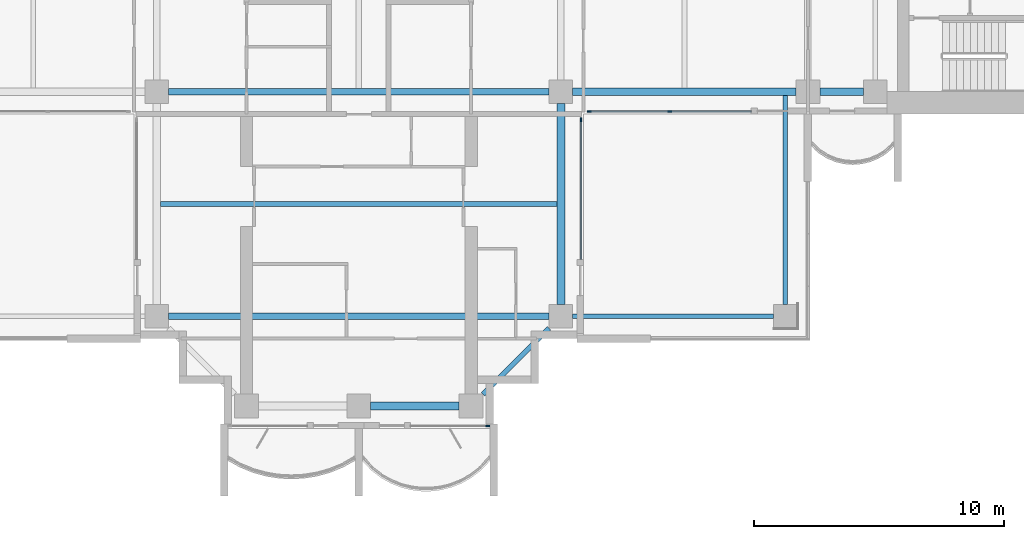
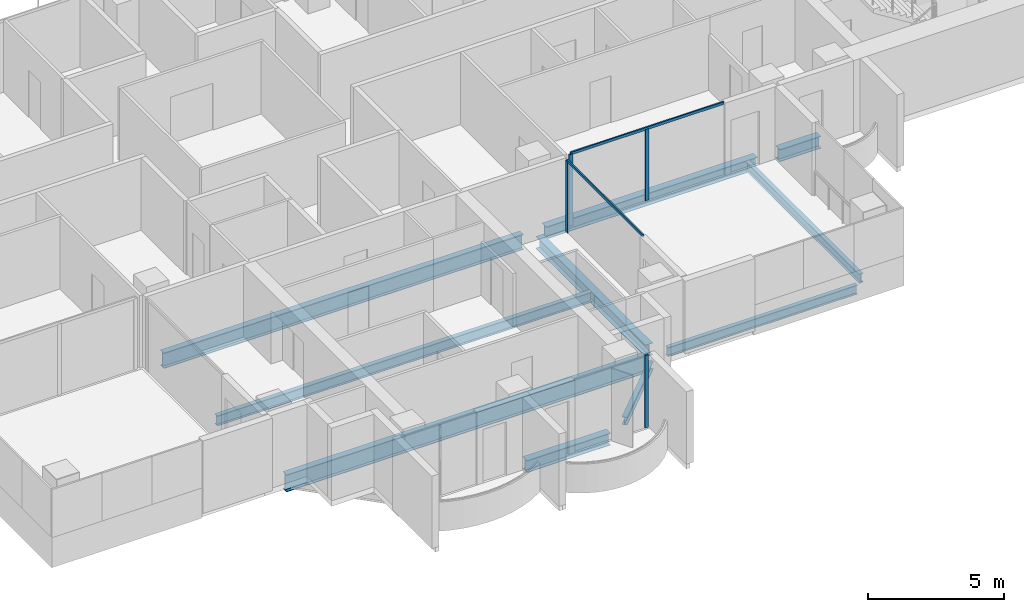
# One storey, part 3 of 17: 10 beams, 6 members, 3 elements without a shape of their own.
"""IFC4 building model written with IfcOpenShell, lengths in metres."""

from ifc_helpers import new_model, si_unit, direction, frame, origin, origin_2d, place, context, subcontext, project, spatial, rectangle, i_section, extrude, material, material_profile, profile_set, type_object, element, aggregate, save


model = new_model("IFC4")

# Units and contexts
model_context = context("Model", 3, precision=1e-05, world=origin(), true_north=direction((0.0, 1.0)))
body_context = subcontext(model_context, "Body", "Model", "MODEL_VIEW")
ifc_project = project(units=[si_unit("LENGTHUNIT", "METRE"), si_unit("AREAUNIT", "SQUARE_METRE"), si_unit("VOLUMEUNIT", "CUBIC_METRE"), si_unit("PLANEANGLEUNIT", "RADIAN"), si_unit("MASSUNIT", "GRAM", prefix="KILO")], contexts=[model_context])

# Site, building, storey
site_placement = place(None, origin())
site = spatial("IfcSite", under=ifc_project, at=site_placement, CompositionType="ELEMENT")
building_placement = place(site_placement, origin())
building = spatial("IfcBuilding", under=site, at=building_placement, Name="Perihelion Cross Residences", CompositionType="ELEMENT")
storey_placement = place(building_placement, frame((0.0, 0.0, 201.60009765625)))
storey = spatial("IfcBuildingStorey", under=building, at=storey_placement, Name="L50", CompositionType="ELEMENT", Elevation=201.60009765625)

# Curtain wall, member
ifc_material_1 = material(Name="Bronze anodised aluminium, tinted glazing", Category="aluminium")
curtain_wall_type = type_object("IfcCurtainWallType", Name="CW1", PredefinedType="NOTDEFINED", material=ifc_material_1)
curtain_wall_1_placement = place(storey_placement, origin())
curtain_wall_1 = element("IfcCurtainWall", 1, at=curtain_wall_1_placement, inside=storey, type_object=curtain_wall_type, Name="Curtain wall CW1 L50 south tip south bay 2", PredefinedType="NOTDEFINED")
ifc_material_2 = material(Name="Bronze anodised aluminium", Category="aluminium")
ifc_material_profile_1 = material_profile(ifc_material_2, rectangle(XDim=0.06005859375, YDim=0.159912109375, at=origin_2d()), Name="CW1 mullion")
ifc_profile_set_1 = profile_set([ifc_material_profile_1], Name="Bronze anodised aluminium")
member_type_1 = type_object("IfcMemberType", Name="CW1 mullion", PredefinedType="MULLION", material=ifc_profile_set_1)
member_1_placement = place(storey_placement, frame((5.169921875, -21.5, 0.0), z_axis=(0.0, 0.0, 1.0), x_axis=(0.0, 1.0, 0.0)))
member_1 = element("IfcMember", 2, at=member_1_placement, type_object=member_type_1, Name="CW1 mullion 2", PredefinedType="MULLION", context=body_context, shape_type="SweptSolid", body=[
    extrude(rectangle(XDim=0.06005859375, YDim=0.159912109375, at=origin_2d()), origin(), (0.0, 0.0, 1.0), 3.25),
])
aggregate(curtain_wall_1, [member_1])

curtain_wall_2_placement = place(storey_placement, origin())
curtain_wall_2 = element("IfcCurtainWall", 3, at=curtain_wall_2_placement, inside=storey, type_object=curtain_wall_type, Name="Curtain wall CW1 L50 south side east bay 1", PredefinedType="NOTDEFINED")
member_2_placement = place(storey_placement, frame((8.89990234375, -9.22998046875, 0.0), z_axis=(0.0, 0.0, 1.0), x_axis=(-1.0, 0.0, 0.0)))
member_2 = element("IfcMember", 4, at=member_2_placement, type_object=member_type_1, Name="CW1 mullion 2", PredefinedType="MULLION", context=body_context, shape_type="SweptSolid", body=[
    extrude(rectangle(XDim=0.06005859375, YDim=0.159912109375, at=origin_2d()), origin(), (0.0, 0.0, 1.0), 3.18994140625),
])

# Curtain wall, members
curtain_wall_3_placement = place(storey_placement, origin())
curtain_wall_3 = element("IfcCurtainWall", 5, at=curtain_wall_3_placement, inside=storey, type_object=curtain_wall_type, Name="Curtain wall CW1 L50 east side south bay 1", PredefinedType="NOTDEFINED")
member_3_placement = place(storey_placement, frame((9.22998046875, -8.89990234375, 0.0), z_axis=(0.0, 0.0, 1.0), x_axis=(0.0, 1.0, 0.0)))
member_3 = element("IfcMember", 6, at=member_3_placement, type_object=member_type_1, Name="CW1 mullion 1", PredefinedType="MULLION", context=body_context, shape_type="SweptSolid", body=[
    extrude(rectangle(XDim=0.06005859375, YDim=0.159912109375, at=origin_2d()), origin(), (0.0, 0.0, 1.0), 3.18994140625),
])
member_4_placement = place(storey_placement, frame((12.46240234375, -8.89990234375, 0.0), z_axis=(0.0, 0.0, 1.0), x_axis=(0.0, 1.0, 0.0)))
member_4 = element("IfcMember", 7, at=member_4_placement, type_object=member_type_1, Name="CW1 mullion 2", PredefinedType="MULLION", context=body_context, shape_type="SweptSolid", body=[
    extrude(rectangle(XDim=0.06005859375, YDim=0.159912109375, at=origin_2d()), origin(), (0.0, 0.0, 1.0), 3.18994140625),
])

# Member
ifc_material_3 = material(Name="Bronze anodised aluminium", Category="aluminium")
ifc_material_profile_2 = material_profile(ifc_material_3, rectangle(XDim=0.06005859375, YDim=0.1201171875, at=origin_2d()), Name="CW1 transom")
ifc_profile_set_2 = profile_set([ifc_material_profile_2], Name="Bronze anodised aluminium")
member_type_2 = type_object("IfcMemberType", Name="CW1 transom", PredefinedType="USERDEFINED", material=ifc_profile_set_2)
member_5_placement = place(storey_placement, frame((8.89990234375, -14.824951171875, 3.219970703125), z_axis=(0.0, 1.0, 0.0), x_axis=(-1.0, 0.0, 0.0)))
member_5 = element("IfcMember", 8, at=member_5_placement, type_object=member_type_2, Name="CW1 head transom", ObjectType="TRANSOM", PredefinedType="USERDEFINED", context=body_context, shape_type="SweptSolid", body=[
    extrude(rectangle(XDim=0.06005859375, YDim=0.1201171875, at=origin_2d()), origin(), (0.0, 0.0, 1.0), 5.594970703125),
])

aggregate(curtain_wall_2, [member_2, member_5])

member_6_placement = place(storey_placement, frame((9.22998046875, -8.89990234375, 3.219970703125), z_axis=(1.0, 0.0, 0.0), x_axis=(0.0, 1.0, 0.0)))
member_6 = element("IfcMember", 9, at=member_6_placement, type_object=member_type_2, Name="CW1 head transom", ObjectType="TRANSOM", PredefinedType="USERDEFINED", context=body_context, shape_type="SweptSolid", body=[
    extrude(rectangle(XDim=0.06005859375, YDim=0.1201171875, at=origin_2d()), origin(), (0.0, 0.0, 1.0), 6.4951171875),
])

aggregate(curtain_wall_3, [member_3, member_4, member_6])

# Beams
ifc_material_4 = material(Name="Steel S355", Category="steel")
ifc_material_profile_3 = material_profile(ifc_material_4, i_section(OverallWidth=0.177978515625, OverallDepth=0.406005859375, WebThickness=0.0078125, FlangeThickness=0.0126953125, at=origin_2d()), Name="W410x60")
ifc_profile_set_3 = profile_set([ifc_material_profile_3], Name="Steel S355")
beam_type_1 = type_object("IfcBeamType", Name="Core edge beam W410x60", PredefinedType="BEAM", material=ifc_profile_set_3)
beam_1_placement = place(storey_placement, frame((17.10009765625, -8.256103515625, -0.453125), z_axis=(0.0, -1.0, 0.0), x_axis=(1.0, 0.0, 0.0)))
element("IfcBeam", 10, at=beam_1_placement, inside=storey, type_object=beam_type_1, Name="Core edge beam TB2 L50 corner no. 3", PredefinedType="BEAM", context=body_context, shape_type="SweptSolid", body=[
    extrude(i_section(OverallWidth=0.177978515625, OverallDepth=0.406005859375, WebThickness=0.0078125, FlangeThickness=0.0126953125, at=origin_2d()), origin(), (0.0, 0.0, 1.0), 8.368896484375),
])
beam_2_placement = place(storey_placement, frame((8.574951171875, -17.10009765625, -0.453125), z_axis=(1.0, 0.0, 0.0), x_axis=(0.0, 1.0, 0.0)))
element("IfcBeam", 11, at=beam_2_placement, inside=storey, type_object=beam_type_1, Name="Core edge beam TB2 L50 corner no. 4", PredefinedType="BEAM", context=body_context, shape_type="SweptSolid", body=[
    extrude(i_section(OverallWidth=0.177978515625, OverallDepth=0.406005859375, WebThickness=0.0078125, FlangeThickness=0.0126953125, at=origin_2d()), origin(), (0.0, 0.0, 1.0), 8.050048828125),
])
ifc_material_5 = material(Name="Steel S355", Category="steel")
ifc_material_profile_4 = material_profile(ifc_material_5, i_section(OverallWidth=0.31201171875, OverallDepth=0.5439453125, WebThickness=0.0126953125, FlangeThickness=0.020263671875, at=origin_2d()), Name="W530x150")
ifc_profile_set_4 = profile_set([ifc_material_profile_4], Name="Steel S355")
beam_type_2 = type_object("IfcBeamType", Name="Edge beam W530x150", PredefinedType="SPANDREL", material=ifc_profile_set_4)
beam_3_placement = place(storey_placement, frame((0.47509765625, -20.699951171875, -0.522216796875), z_axis=(1.0, 0.0, 0.0), x_axis=(0.0, 1.0, 0.0)))
element("IfcBeam", 12, at=beam_3_placement, inside=storey, type_object=beam_type_2, Name="Edge beam SB4 L50 no. 7", PredefinedType="SPANDREL", context=body_context, shape_type="SweptSolid", body=[
    extrude(i_section(OverallWidth=0.31201171875, OverallDepth=0.5439453125, WebThickness=0.0126953125, FlangeThickness=0.020263671875, at=origin_2d()), origin(), (0.0, 0.0, 1.0), 3.5498046875),
])
beam_4_placement = place(storey_placement, frame((8.10009765625, -16.625, -0.522216796875), z_axis=(0.0, 1.0, 0.0), x_axis=(-1.0, 0.0, 0.0)))
element("IfcBeam", 13, at=beam_4_placement, inside=storey, type_object=beam_type_2, Name="Edge beam SB4 L50 no. 11", PredefinedType="SPANDREL", context=body_context, shape_type="SweptSolid", body=[
    extrude(i_section(OverallWidth=0.31201171875, OverallDepth=0.5439453125, WebThickness=0.0126953125, FlangeThickness=0.020263671875, at=origin_2d()), origin(), (0.0, 0.0, 1.0), 8.050048828125),
])
beam_5_placement = place(storey_placement, frame((8.574951171875, -8.10009765625, -0.522216796875), z_axis=(1.0, 0.0, 0.0), x_axis=(0.0, 1.0, 0.0)))
element("IfcBeam", 14, at=beam_5_placement, inside=storey, type_object=beam_type_2, Name="Edge beam SB4 L50 no. 12", PredefinedType="SPANDREL", context=body_context, shape_type="SweptSolid", body=[
    extrude(i_section(OverallWidth=0.31201171875, OverallDepth=0.5439453125, WebThickness=0.0126953125, FlangeThickness=0.020263671875, at=origin_2d()), origin(), (0.0, 0.0, 1.0), 8.949951171875),
])
beam_6_placement = place(storey_placement, frame((18.47509765625, -8.10009765625, -0.522216796875), z_axis=(1.0, 0.0, 0.0), x_axis=(0.0, 1.0, 0.0)))
element("IfcBeam", 15, at=beam_6_placement, inside=storey, type_object=beam_type_2, Name="Edge beam SB4 L50 no. 8", PredefinedType="SPANDREL", context=body_context, shape_type="SweptSolid", body=[
    extrude(i_section(OverallWidth=0.31201171875, OverallDepth=0.5439453125, WebThickness=0.0126953125, FlangeThickness=0.020263671875, at=origin_2d()), origin(), (0.0, 0.0, 1.0), 1.75),
])
ifc_material_6 = material(Name="Steel S355", Category="steel")
ifc_material_profile_5 = material_profile(ifc_material_6, i_section(OverallWidth=0.26708984375, OverallDepth=0.77001953125, WebThickness=0.015625, FlangeThickness=0.025390625, at=origin_2d()), Name="W760x196")
ifc_profile_set_5 = profile_set([ifc_material_profile_5], Name="Steel S355")
beam_type_3 = type_object("IfcBeamType", Name="Floor girder W760x196", PredefinedType="BEAM", material=ifc_profile_set_5)
beam_7_placement = place(storey_placement, frame((-7.625, -17.10009765625, -0.635009765625), z_axis=(1.0, 0.0, 0.0), x_axis=(0.0, 1.0, 0.0)))
element("IfcBeam", 16, at=beam_7_placement, inside=storey, type_object=beam_type_3, Name="Girder G4 L50 no. 3", PredefinedType="BEAM", context=body_context, shape_type="SweptSolid", body=[
    extrude(i_section(OverallWidth=0.26708984375, OverallDepth=0.77001953125, WebThickness=0.015625, FlangeThickness=0.025390625, at=origin_2d()), origin(), (0.0, 0.0, 1.0), 15.25),
])
ifc_material_7 = material(Name="Steel S355", Category="steel")
ifc_material_profile_6 = material_profile(ifc_material_7, i_section(OverallWidth=0.19091796875, OverallDepth=0.45703125, WebThickness=0.009033203125, FlangeThickness=0.014404296875, at=origin_2d()), Name="W460x74")
ifc_profile_set_6 = profile_set([ifc_material_profile_6], Name="Steel S355")
beam_type_4 = type_object("IfcBeamType", Name="Floor joist W460x74", PredefinedType="JOIST", material=ifc_profile_set_6)
beam_8_placement = place(storey_placement, frame((-7.944091796875, -12.60009765625, -0.478515625), z_axis=(1.0, 0.0, 0.0), x_axis=(0.0, 1.0, 0.0)))
element("IfcBeam", 17, at=beam_8_placement, inside=storey, type_object=beam_type_4, Name="Joist J5 L50 no. 3", PredefinedType="JOIST", context=body_context, shape_type="SweptSolid", body=[
    extrude(i_section(OverallWidth=0.19091796875, OverallDepth=0.45703125, WebThickness=0.009033203125, FlangeThickness=0.014404296875, at=origin_2d()), origin(), (0.0, 0.0, 1.0), 15.88818359375),
])
ifc_material_8 = material(Name="Steel S355", Category="steel")
ifc_material_profile_7 = material_profile(ifc_material_8, i_section(OverallWidth=0.257080078125, OverallDepth=0.693115234375, WebThickness=0.014404296875, FlangeThickness=0.023681640625, at=origin_2d()), Name="W690x170")
ifc_profile_set_7 = profile_set([ifc_material_profile_7], Name="Steel S355")
beam_type_5 = type_object("IfcBeamType", Name="Hub ring girder W690x170", PredefinedType="BEAM", material=ifc_profile_set_7)
beam_9_placement = place(storey_placement, frame((-7.625, -8.10009765625, -0.5966796875), z_axis=(1.0, 0.0, 0.0), x_axis=(0.0, 1.0, 0.0)))
element("IfcBeam", 18, at=beam_9_placement, inside=storey, type_object=beam_type_5, Name="Hub ring girder RG4 L50 no. 1", PredefinedType="BEAM", context=body_context, shape_type="SweptSolid", body=[
    extrude(i_section(OverallWidth=0.257080078125, OverallDepth=0.693115234375, WebThickness=0.014404296875, FlangeThickness=0.023681640625, at=origin_2d()), origin(), (0.0, 0.0, 1.0), 15.25),
])
ifc_material_9 = material(Name="Steel S355", Category="steel")
ifc_material_profile_8 = material_profile(ifc_material_9, i_section(OverallWidth=0.205078125, OverallDepth=0.35302734375, WebThickness=0.009521484375, FlangeThickness=0.016845703125, at=origin_2d()), Name="W360x79")
ifc_profile_set_8 = profile_set([ifc_material_profile_8], Name="Steel S355")
beam_type_6 = type_object("IfcBeamType", Name="Serration edge beam W360x79", PredefinedType="BEAM", material=ifc_profile_set_8)
beam_10_placement = place(storey_placement, frame((4.97509765625, -20.22509765625, -0.426513671875), z_axis=(0.70707420838, 0.707139352493, 0.0), x_axis=(-0.707139352493, 0.70707420838, 0.0)))
element("IfcBeam", 19, at=beam_10_placement, inside=storey, type_object=beam_type_6, Name="Serration edge beam EB4 L50 no. 2", PredefinedType="BEAM", context=body_context, shape_type="SweptSolid", body=[
    extrude(i_section(OverallWidth=0.205078125, OverallDepth=0.35302734375, WebThickness=0.009521484375, FlangeThickness=0.016845703125, at=origin_2d()), origin(), (0.0, 0.0, 1.0), 3.747802734375),
])

save(model, "model.ifc")
